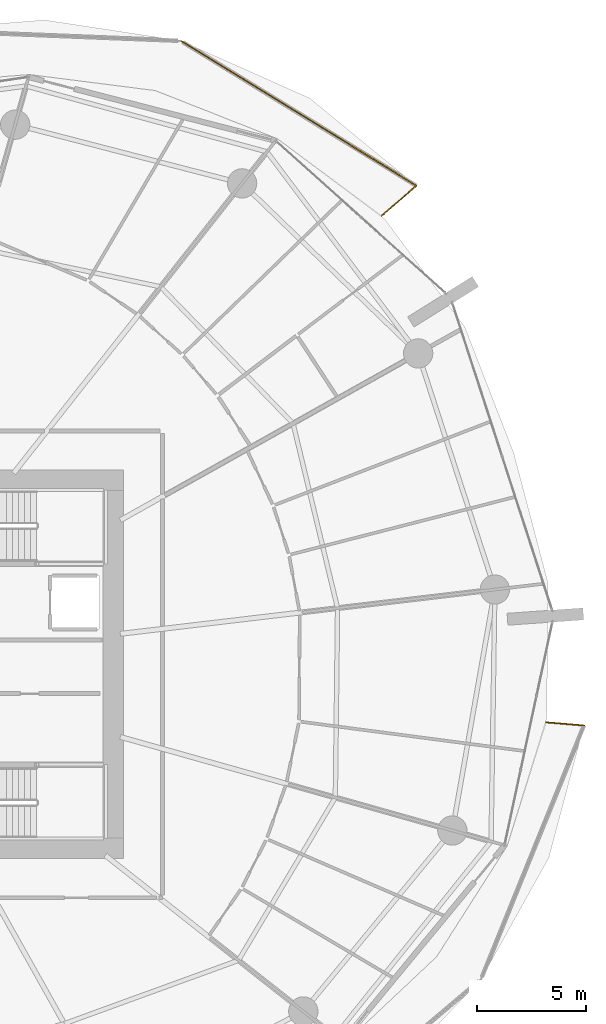
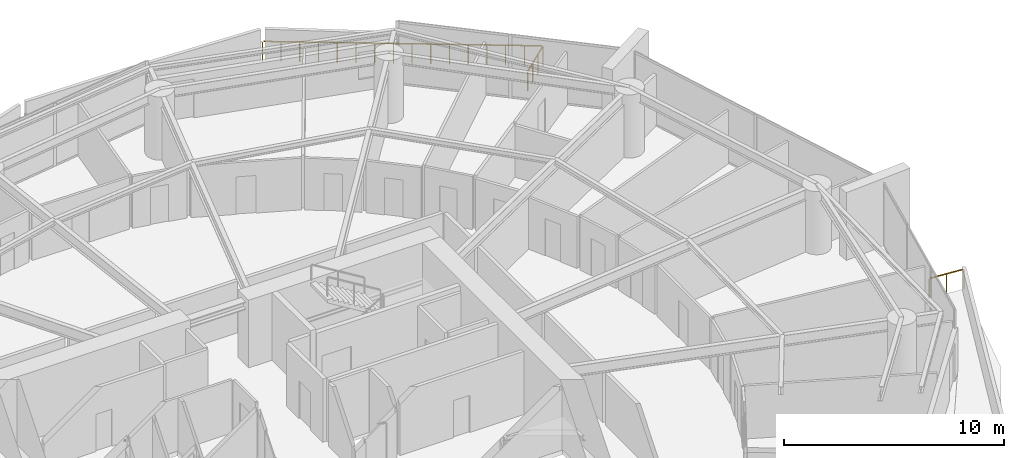
# One storey, part 31 of 31: 3 railings.
"""IFC4 building model written with IfcOpenShell, lengths in metres."""

from ifc_helpers import new_model, si_unit, direction, frame, origin, origin_2d, place, context, subcontext, project, spatial, rectangle, extrude, material, type_object, element, save


model = new_model("IFC4")

# Units and contexts
model_context = context("Model", 3, precision=1e-05, world=origin(), true_north=direction((0.0, 1.0)))
body_context = subcontext(model_context, "Body", "Model", "MODEL_VIEW")
ifc_project = project(units=[si_unit("LENGTHUNIT", "METRE"), si_unit("AREAUNIT", "SQUARE_METRE"), si_unit("VOLUMEUNIT", "CUBIC_METRE"), si_unit("PLANEANGLEUNIT", "RADIAN"), si_unit("MASSUNIT", "GRAM", prefix="KILO")], contexts=[model_context])

# Site, building, storey
site_placement = place(None, origin())
site = spatial("IfcSite", under=ifc_project, at=site_placement, CompositionType="ELEMENT")
building_placement = place(site_placement, origin())
building = spatial("IfcBuilding", under=site, at=building_placement, Name="Kazma Halo Residences", CompositionType="ELEMENT")
storey_placement = place(building_placement, frame((0.0, 0.0, 37.64990234375)))
storey = spatial("IfcBuildingStorey", under=building, at=storey_placement, Name="L08", CompositionType="ELEMENT", Elevation=37.64990234375)

# Railings
ifc_material = material(Name="Aluminium AW-6063 T6 Brushed Cap Rail", Category="aluminium")
railing_type = type_object("IfcRailingType", Name="RLG-BAL-CAP-1120", PredefinedType="BALUSTRADE", material=ifc_material)
railing_1_placement = place(storey_placement, frame((71.875732421875, 62.645263671875, 0.0)))
element("IfcRailing", 1, at=railing_1_placement, inside=storey, type_object=railing_type, Name="L08 NE wave balcony guard 1", PredefinedType="BALUSTRADE", context=body_context, shape_type="SweptSolid", body=[
    extrude(rectangle(XDim=0.050048828125, YDim=0.050048828125, at=origin_2d()), frame((0.0322265625, 0.02783203125, 1.09521484375), z_axis=(0.756402999424, 0.654105880162, 0.0), x_axis=(-0.654105880162, 0.756402999424, 0.0)), (0.0, 0.0, 1.0), 2.046142578125),
    extrude(rectangle(XDim=0.0400390625, YDim=0.0400390625, at=origin_2d()), origin(), (0.0, 0.0, 1.0), 1.05810546875),
    extrude(rectangle(XDim=0.0400390625, YDim=0.0400390625, at=origin_2d()), frame((0.537353515625, 0.464599609375, 0.0)), (0.0, 0.0, 1.0), 1.05810546875),
    extrude(rectangle(XDim=0.0400390625, YDim=0.0400390625, at=origin_2d()), frame((1.07470703125, 0.929443359375, 0.0)), (0.0, 0.0, 1.0), 1.05810546875),
    extrude(rectangle(XDim=0.0400390625, YDim=0.0400390625, at=origin_2d()), frame((1.612060546875, 1.39404296875, 0.0)), (0.0, 0.0, 1.0), 1.05810546875),
])
railing_2_placement = place(storey_placement, frame((73.48779296875, 64.039306640625, 0.0)))
element("IfcRailing", 2, at=railing_2_placement, inside=storey, type_object=railing_type, Name="L08 NE wave balcony guard 2", PredefinedType="BALUSTRADE", context=body_context, shape_type="SweptSolid", body=[
    extrude(rectangle(XDim=0.050048828125, YDim=0.050048828125, at=origin_2d()), frame((-0.0361328125, 0.022216796875, 1.09521484375), z_axis=(-0.851730655586, 0.523979856803, 0.0), x_axis=(-0.523979856803, -0.851730655586, 0.0)), (0.0, 0.0, 1.0), 12.66015625),
    extrude(rectangle(XDim=0.0400390625, YDim=0.0400390625, at=origin_2d()), origin(), (0.0, 0.0, 1.0), 1.05810546875),
    extrude(rectangle(XDim=0.0400390625, YDim=0.0400390625, at=origin_2d()), frame((-0.7236328125, 0.4453125, 0.0)), (0.0, 0.0, 1.0), 1.05810546875),
    extrude(rectangle(XDim=0.0400390625, YDim=0.0400390625, at=origin_2d()), frame((-1.447509765625, 0.890380859375, 0.0)), (0.0, 0.0, 1.0), 1.05810546875),
    extrude(rectangle(XDim=0.0400390625, YDim=0.0400390625, at=origin_2d()), frame((-2.171142578125, 1.335693359375, 0.0)), (0.0, 0.0, 1.0), 1.05810546875),
    extrude(rectangle(XDim=0.0400390625, YDim=0.0400390625, at=origin_2d()), frame((-2.894775390625, 1.78076171875, 0.0)), (0.0, 0.0, 1.0), 1.05810546875),
    extrude(rectangle(XDim=0.0400390625, YDim=0.0400390625, at=origin_2d()), frame((-3.618408203125, 2.22607421875, 0.0)), (0.0, 0.0, 1.0), 1.05810546875),
    extrude(rectangle(XDim=0.0400390625, YDim=0.0400390625, at=origin_2d()), frame((-4.34228515625, 2.67138671875, 0.0)), (0.0, 0.0, 1.0), 1.05810546875),
    extrude(rectangle(XDim=0.0400390625, YDim=0.0400390625, at=origin_2d()), frame((-5.06591796875, 3.116455078125, 0.0)), (0.0, 0.0, 1.0), 1.05810546875),
    extrude(rectangle(XDim=0.0400390625, YDim=0.0400390625, at=origin_2d()), frame((-5.78955078125, 3.561767578125, 0.0)), (0.0, 0.0, 1.0), 1.05810546875),
    extrude(rectangle(XDim=0.0400390625, YDim=0.0400390625, at=origin_2d()), frame((-6.51318359375, 4.0068359375, 0.0)), (0.0, 0.0, 1.0), 1.05810546875),
    extrude(rectangle(XDim=0.0400390625, YDim=0.0400390625, at=origin_2d()), frame((-7.237060546875, 4.4521484375, 0.0)), (0.0, 0.0, 1.0), 1.05810546875),
    extrude(rectangle(XDim=0.0400390625, YDim=0.0400390625, at=origin_2d()), frame((-7.960693359375, 4.8974609375, 0.0)), (0.0, 0.0, 1.0), 1.05810546875),
    extrude(rectangle(XDim=0.0400390625, YDim=0.0400390625, at=origin_2d()), frame((-8.684326171875, 5.342529296875, 0.0)), (0.0, 0.0, 1.0), 1.05810546875),
    extrude(rectangle(XDim=0.0400390625, YDim=0.0400390625, at=origin_2d()), frame((-9.407958984375, 5.787841796875, 0.0)), (0.0, 0.0, 1.0), 1.05810546875),
    extrude(rectangle(XDim=0.0400390625, YDim=0.0400390625, at=origin_2d()), frame((-10.1318359375, 6.23291015625, 0.0)), (0.0, 0.0, 1.0), 1.05810546875),
    extrude(rectangle(XDim=0.0400390625, YDim=0.0400390625, at=origin_2d()), frame((-10.85546875, 6.67822265625, 0.0)), (0.0, 0.0, 1.0), 1.05810546875),
])
railing_3_placement = place(storey_placement, frame((81.205322265625, 39.1826171875, 0.0)))
element("IfcRailing", 3, at=railing_3_placement, inside=storey, type_object=railing_type, Name="L08 SE wave balcony guard 4", PredefinedType="BALUSTRADE", context=body_context, shape_type="SweptSolid", body=[
    extrude(rectangle(XDim=0.050048828125, YDim=0.050048828125, at=origin_2d()), frame((-0.04248046875, 0.003662109375, 1.09521484375), z_axis=(-0.996429095745, 0.084433744164, 0.0), x_axis=(-0.084433744164, -0.996429095745, 0.0)), (0.0, 0.0, 1.0), 1.67578125),
    extrude(rectangle(XDim=0.0400390625, YDim=0.0400390625, at=origin_2d()), origin(), (0.0, 0.0, 1.0), 1.05810546875),
    extrude(rectangle(XDim=0.0400390625, YDim=0.0400390625, at=origin_2d()), frame((-0.87744140625, 0.07421875, 0.0)), (0.0, 0.0, 1.0), 1.05810546875),
    extrude(rectangle(XDim=0.0400390625, YDim=0.0400390625, at=origin_2d()), frame((-1.754638671875, 0.148681640625, 0.0)), (0.0, 0.0, 1.0), 1.05810546875),
])

save(model, "model.ifc")
